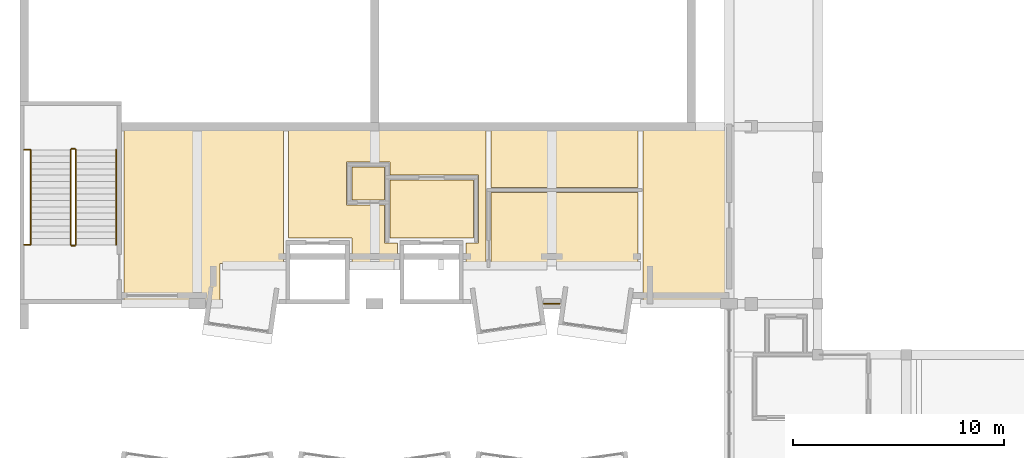
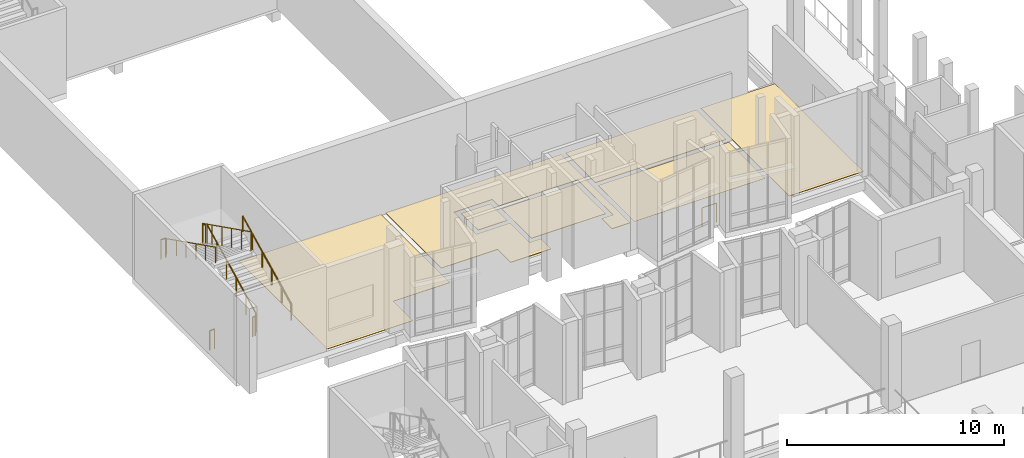
# One storey, part 89 of 100: 9 railings, 7 coverings.
"""IFC4 building model written with IfcOpenShell, lengths in metres."""

import ifcopenshell
import ifcopenshell.guid

model = None  # the IFC model being written
_history = None  # IfcOwnerHistory: only IFC2X3 demands one
_inside = {}  # id of a spatial element -> (the spatial element, [elements in it])
_under = {}  # id of a project, library or spatial element -> (it, [spatial elements below it])
_declared = {}  # id of a project -> (the project, [libraries it declares])
_typed = {}  # id of a type object -> (the type object, [elements of that type])
_made_of = {}  # id of a material, layer set ... -> (it, [elements and type objects made of it])


def new_model(schema):
    """Start an empty IFC model of exactly this schema.

    Asked for "IFC4X3", IfcOpenShell would pick the latest addendum, in which some entities
    have other attributes; the version numbers below select the first issue.
    IFC2X3 requires an IfcOwnerHistory on every rooted entity: one is made here for all.
    """
    global model, _history
    if schema == "IFC4X3":
        model = ifcopenshell.file(schema_version=(4, 3, 0, 0))
    else:
        model = ifcopenshell.file(schema=schema)
    _inside.clear()
    _under.clear()
    _declared.clear()
    _typed.clear()
    _made_of.clear()
    _history = None
    if model.schema == "IFC2X3":
        org = make("IfcOrganization", Name="unknown")
        user = make(
            "IfcPersonAndOrganization",
            ThePerson=make("IfcPerson", FamilyName="unknown"),
            TheOrganization=org,
        )
        app = make(
            "IfcApplication",
            ApplicationDeveloper=org,
            Version="unknown",
            ApplicationFullName="unknown",
            ApplicationIdentifier="unknown",
        )
        _history = make(
            "IfcOwnerHistory",
            OwningUser=user,
            OwningApplication=app,
            ChangeAction="ADDED",
            CreationDate=0,
        )
    return model


def make(cls, **values):
    """One entity of the class cls with the attributes given. An attribute that is None is left unset."""
    return model.create_entity(
        cls, **{name: value for name, value in values.items() if value is not None}
    )


def rooted(cls, **values):
    """An entity with a GlobalId (a new one), such as an element, a storey or a relation."""
    return make(cls, GlobalId=ifcopenshell.guid.new(), OwnerHistory=_history, **values)


def si_unit(unit_type, name, prefix=None):
    """IfcSIUnit, for example si_unit("LENGTHUNIT", "METRE", prefix="MILLI")."""
    return make("IfcSIUnit", UnitType=unit_type, Prefix=prefix, Name=name)


def assignment(units):
    """IfcUnitAssignment: the units of a project."""
    return None if units is None else make("IfcUnitAssignment", Units=units)


def point(xyz):
    """IfcCartesianPoint."""
    return None if xyz is None else make("IfcCartesianPoint", Coordinates=xyz)


def direction(xyz):
    """IfcDirection."""
    return None if xyz is None else make("IfcDirection", DirectionRatios=xyz)


def frame(location, z_axis=None, x_axis=None):
    """IfcAxis2Placement3D, a coordinate frame: its origin and axes. An axis left out is left unset."""
    return make(
        "IfcAxis2Placement3D",
        Location=point(location),
        Axis=direction(z_axis),
        RefDirection=direction(x_axis),
    )


def frame_2d(location, x_axis=None):
    """IfcAxis2Placement2D, a coordinate frame in the plane: its origin and x axis."""
    return make(
        "IfcAxis2Placement2D", Location=point(location), RefDirection=direction(x_axis)
    )


def origin():
    """The frame at (0, 0, 0) with its axes left unset."""
    return frame((0.0, 0.0, 0.0))


def origin_2d():
    """The frame at (0, 0) in the plane with its x axis left unset."""
    return frame_2d((0.0, 0.0))


def place(relative_to, where):
    """IfcLocalPlacement: puts the frame where relative to a parent placement (None: the world)."""
    return make(
        "IfcLocalPlacement", PlacementRelTo=relative_to, RelativePlacement=where
    )


def context(
    kind, dimensions, precision=None, world=None, true_north=None, identifier=None
):
    """IfcGeometricRepresentationContext, for example the 3D "Model" context."""
    return make(
        "IfcGeometricRepresentationContext",
        ContextIdentifier=identifier,
        ContextType=kind,
        CoordinateSpaceDimension=dimensions,
        Precision=precision,
        WorldCoordinateSystem=world,
        TrueNorth=true_north,
    )


def subcontext(parent, identifier, kind, view, scale=None):
    """IfcGeometricRepresentationSubContext, for example "Body" below "Model"."""
    return make(
        "IfcGeometricRepresentationSubContext",
        ContextIdentifier=identifier,
        ContextType=kind,
        ParentContext=parent,
        TargetScale=scale,
        TargetView=view,
    )


def project(units=None, contexts=None):
    """IfcProject with its units and contexts."""
    return rooted(
        "IfcProject",
        Name="project",
        RepresentationContexts=contexts,
        UnitsInContext=assignment(units),
    )


def spatial(cls, under=None, at=None, **own):
    """A site, building, storey or space (cls), placed at a placement, below another one or the project."""
    s = rooted(cls, ObjectPlacement=at, **own)
    if under is not None:
        _under.setdefault(under.id(), (under, []))[1].append(s)
    return s


def polyline(points):
    """IfcPolyline through the points."""
    return make("IfcPolyline", Points=[point(p) for p in points])


def profile(cls, at=None, kind="AREA", **sizes):
    """A parametric profile (cls). Its sizes go by their IFC names, for example OverallWidth=200.0."""
    return make(cls, ProfileType=kind, Position=at, **sizes)


def circle(**sizes):
    """IfcCircleProfileDef."""
    return profile("IfcCircleProfileDef", **sizes)


def outline(outer, holes=None, kind="AREA"):
    """IfcArbitraryClosedProfileDef: a profile drawn as a closed curve; with holes, ...WithVoids."""
    if holes is None:
        return make("IfcArbitraryClosedProfileDef", ProfileType=kind, OuterCurve=outer)
    return make(
        "IfcArbitraryProfileDefWithVoids",
        ProfileType=kind,
        OuterCurve=outer,
        InnerCurves=holes,
    )


def extrude(swept, where, along, depth):
    """IfcExtrudedAreaSolid: the profile swept, set in the frame where, extruded along a direction by depth."""
    return make(
        "IfcExtrudedAreaSolid",
        SweptArea=swept,
        Position=where,
        ExtrudedDirection=direction(along),
        Depth=depth,
    )


def shape(context_of_items, identifier, shape_type, items):
    """IfcShapeRepresentation: the items that make up one representation, for example the "Body"."""
    return make(
        "IfcShapeRepresentation",
        ContextOfItems=context_of_items,
        RepresentationIdentifier=identifier,
        RepresentationType=shape_type,
        Items=items,
    )


def material(Name=None, Category=None):
    """IfcMaterial."""
    return make("IfcMaterial", Name=Name, Category=Category)


def layer(
    of_material, thickness, ventilated=None, Name=None, Category=None, Priority=None
):
    """IfcMaterialLayer: one layer of a wall or slab, of a material (None: an air gap)."""
    return make(
        "IfcMaterialLayer",
        Material=of_material,
        LayerThickness=thickness,
        IsVentilated=ventilated,
        Name=Name,
        Category=Category,
        Priority=Priority,
    )


def layer_set(layers, Name=None):
    """IfcMaterialLayerSet."""
    return make("IfcMaterialLayerSet", MaterialLayers=layers, LayerSetName=Name)


def made_of(thing, what):
    """Note that an element or type object is made of a material, layer set ...; save() writes the relation."""
    if what is not None:
        _made_of.setdefault(what.id(), (what, []))[1].append(thing)
    return thing


def type_object(cls, material=None, **own):
    """A type object (cls), such as IfcWallType, which elements share."""
    return made_of(rooted(cls, **own), material)


def element(
    cls,
    number,
    at=None,
    inside=None,
    cuts=None,
    type_object=None,
    material=None,
    context=None,
    identifier="Body",
    shape_type=None,
    held_by="IfcProductDefinitionShape",
    body=None,
    shapes=None,
    **own,
):
    """One element of the class cls, such as IfcWall. Its Tag is "e" and its number.

    at: its placement. inside: the storey or other place that contains it. cuts: it is an
    opening in that element (IfcRelVoidsElement). A single representation is given by context,
    identifier, shape_type and body (its items); several are given by shapes. held_by: the class
    of the entity that holds the representations. save() writes the other relations.
    """
    e = rooted(cls, Tag="e%d" % number, ObjectPlacement=at, **own)
    if body is not None:
        shapes = [shape(context, identifier, shape_type, body)]
    if shapes is not None:
        e.Representation = make(held_by, Representations=shapes)
    if inside is not None:
        _inside.setdefault(inside.id(), (inside, []))[1].append(e)
    if cuts is not None:
        rooted(
            "IfcRelVoidsElement", RelatingBuildingElement=cuts, RelatedOpeningElement=e
        )
    if type_object is not None:
        _typed.setdefault(type_object.id(), (type_object, []))[1].append(e)
    return made_of(e, material)


def aggregate(whole, parts):
    """IfcRelAggregates: a whole, such as a stair, and the parts it consists of."""
    return rooted("IfcRelAggregates", RelatingObject=whole, RelatedObjects=parts)


def save(model, path):
    """Write the relations noted so far, then the file.

    IfcRelAggregates (storeys below a building ...), IfcRelContainedInSpatialStructure (elements
    in a storey), IfcRelDefinesByType, IfcRelAssociatesMaterial and IfcRelDeclares: one each for
    every whole, place, type object, material and project.
    """
    for whole, parts in _under.values():
        aggregate(whole, parts)
    for where, things in _inside.values():
        rooted(
            "IfcRelContainedInSpatialStructure",
            RelatedElements=things,
            RelatingStructure=where,
        )
    for kind, things in _typed.values():
        rooted("IfcRelDefinesByType", RelatedObjects=things, RelatingType=kind)
    for what, things in _made_of.values():
        rooted("IfcRelAssociatesMaterial", RelatedObjects=things, RelatingMaterial=what)
    for by, libraries in _declared.values():
        rooted("IfcRelDeclares", RelatingContext=by, RelatedDefinitions=libraries)
    model.write(path)


model = new_model("IFC4")

# Units and contexts
model_context = context("Model", 3, precision=1e-05, world=origin(), true_north=direction((0.0, 1.0)))
body_context = subcontext(model_context, "Body", "Model", "MODEL_VIEW")
ifc_project = project(units=[si_unit("LENGTHUNIT", "METRE"), si_unit("AREAUNIT", "SQUARE_METRE"), si_unit("VOLUMEUNIT", "CUBIC_METRE"), si_unit("PLANEANGLEUNIT", "RADIAN"), si_unit("MASSUNIT", "GRAM", prefix="KILO")], contexts=[model_context])

# Site, building, storey
site_placement = place(None, origin())
site = spatial("IfcSite", under=ifc_project, at=site_placement, CompositionType="ELEMENT")
building_placement = place(site_placement, origin())
building = spatial("IfcBuilding", under=site, at=building_placement, Name="Kiln Court Media Centre", CompositionType="ELEMENT")
storey_placement = place(building_placement, frame((0.0, 0.0, 15.0)))
storey = spatial("IfcBuildingStorey", under=building, at=storey_placement, Name="L03", CompositionType="ELEMENT", Elevation=15.0)

# Coverings
ifc_material_1 = material(Name="Ceramic tile")
ifc_layer_1 = layer(ifc_material_1, 0.011962890625)
ifc_layer_set_1 = layer_set([ifc_layer_1], Name="Ceramic tile floor finish 12")
covering_type_1 = type_object("IfcCoveringType", Name="Ceramic tile floor finish 12", PredefinedType="FLOORING", material=ifc_layer_set_1)
covering_1_placement = place(storey_placement, origin())
element("IfcCovering", 1, at=covering_1_placement, inside=storey, type_object=covering_type_1, Name="Toilets floor finish", PredefinedType="FLOORING", context=body_context, shape_type="SweptSolid", body=[
    extrude(outline(polyline([(29.280029296875, 38.8798828125), (22.320068359375, 38.8798828125), (22.320068359375, 35.52001953125), (29.280029296875, 35.52001953125), (29.280029296875, 38.8798828125)])), origin(), (0.0, 0.0, 1.0), 0.011962890625),
])
ifc_material_2 = material(Name="Engineered timber", Category="wood")
ifc_layer_2 = layer(ifc_material_2, 0.02001953125)
ifc_layer_set_2 = layer_set([ifc_layer_2], Name="Engineered timber floor finish 20")
covering_type_2 = type_object("IfcCoveringType", Name="Engineered timber floor finish 20", PredefinedType="FLOORING", material=ifc_layer_set_2)
covering_2_placement = place(storey_placement, origin())
element("IfcCovering", 2, at=covering_2_placement, inside=storey, type_object=covering_type_2, Name="Cinema Lounge floor finish", PredefinedType="FLOORING", context=body_context, shape_type="SweptSolid", body=[
    extrude(outline(polyline([(12.47998046875, 41.8798828125), (4.919921875, 41.8798828125), (4.919921875, 33.719970703125), (9.47998046875, 33.719970703125), (9.47998046875, 35.52001953125), (12.47998046875, 35.52001953125), (12.47998046875, 41.8798828125)])), origin(), (0.0, 0.0, 1.0), 0.02001953125),
])
ifc_material_3 = material(Name="Terrazzo")
ifc_layer_3 = layer(ifc_material_3, 0.02490234375)
ifc_layer_set_3 = layer_set([ifc_layer_3], Name="Polished terrazzo floor finish 25")
covering_type_3 = type_object("IfcCoveringType", Name="Polished terrazzo floor finish 25", PredefinedType="FLOORING", material=ifc_layer_set_3)
covering_3_placement = place(storey_placement, origin())
element("IfcCovering", 3, at=covering_3_placement, inside=storey, type_object=covering_type_3, Name="Foyer Link floor finish", PredefinedType="FLOORING", context=body_context, shape_type="SweptSolid", body=[
    extrude(outline(polyline([(29.52001953125, 33.719970703125), (33.47998046875, 33.719970703125), (33.47998046875, 41.8798828125), (29.52001953125, 41.8798828125), (29.52001953125, 33.719970703125)])), origin(), (0.0, 0.0, 1.0), 0.02490234375),
])
covering_4_placement = place(storey_placement, origin())
element("IfcCovering", 4, at=covering_4_placement, inside=storey, type_object=covering_type_3, Name="Mezzanine Lobby floor finish", PredefinedType="FLOORING", context=body_context, shape_type="SweptSolid", body=[
    extrude(outline(polyline([(17.280029296875, 36.47998046875), (17.280029296875, 38.280029296875), (15.47998046875, 38.280029296875), (15.47998046875, 40.320068359375), (17.52001953125, 40.320068359375), (17.52001953125, 39.719970703125), (21.719970703125, 39.719970703125), (21.719970703125, 36.47998046875), (21.1201171875, 36.47998046875), (21.1201171875, 35.52001953125), (22.080078125, 35.52001953125), (22.080078125, 41.8798828125), (12.719970703125, 41.8798828125), (12.719970703125, 36.719970703125), (15.719970703125, 36.719970703125), (15.719970703125, 35.52001953125), (17.8798828125, 35.52001953125), (17.8798828125, 36.47998046875), (17.280029296875, 36.47998046875)])), origin(), (0.0, 0.0, 1.0), 0.02490234375),
])
covering_5_placement = place(storey_placement, origin())
element("IfcCovering", 5, at=covering_5_placement, inside=storey, type_object=covering_type_3, Name="Fire-fighting Lift Lobby floor finish", PredefinedType="FLOORING", context=body_context, shape_type="SweptSolid", body=[
    extrude(outline(polyline([(17.52001953125, 36.719970703125), (21.47998046875, 36.719970703125), (21.47998046875, 39.47998046875), (17.52001953125, 39.47998046875), (17.52001953125, 36.719970703125)])), origin(), (0.0, 0.0, 1.0), 0.02490234375),
])
covering_6_placement = place(storey_placement, origin())
element("IfcCovering", 6, at=covering_6_placement, inside=storey, type_object=covering_type_3, Name="Wheelchair Refuge floor finish", PredefinedType="FLOORING", context=body_context, shape_type="SweptSolid", body=[
    extrude(outline(polyline([(15.719970703125, 38.52001953125), (17.280029296875, 38.52001953125), (17.280029296875, 40.080078125), (15.719970703125, 40.080078125), (15.719970703125, 38.52001953125)])), origin(), (0.0, 0.0, 1.0), 0.02490234375),
])
covering_7_placement = place(storey_placement, origin())
element("IfcCovering", 7, at=covering_7_placement, inside=storey, type_object=covering_type_3, Name="Cinema Lobby floor finish", PredefinedType="FLOORING", context=body_context, shape_type="SweptSolid", body=[
    extrude(outline(polyline([(22.320068359375, 39.1201171875), (29.280029296875, 39.1201171875), (29.280029296875, 41.8798828125), (22.320068359375, 41.8798828125), (22.320068359375, 39.1201171875)])), origin(), (0.0, 0.0, 1.0), 0.02490234375),
])

# Railings
ifc_material_4 = material(Name="Steel S275", Category="steel")
railing_type_1 = type_object("IfcRailingType", Name="Steel S275 balustrade guard 1100", PredefinedType="GUARDRAIL", material=ifc_material_4)
railing_1_placement = place(storey_placement, frame((25.582275390625, 33.599609375, 0.0)))
element("IfcRailing", 8, at=railing_1_placement, inside=storey, type_object=railing_type_1, Name="L03 slab notch guard", PredefinedType="GUARDRAIL", context=body_context, shape_type="SweptSolid", body=[
    extrude(circle(Radius=0.02392578125, at=origin_2d()), frame((0.0, 0.0, 1.076171875), z_axis=(-1.0, 0.0, 0.0), x_axis=(0.0, -1.0, 0.0)), (0.0, 0.0, 1.0), 0.764404296875),
    extrude(circle(Radius=0.02099609375, at=origin_2d()), origin(), (0.0, 0.0, 1.0), 1.052001953125),
    extrude(circle(Radius=0.02099609375, at=origin_2d()), frame((-0.764404296875, 0.0, 0.0)), (0.0, 0.0, 1.0), 1.052001953125),
])
ifc_material_5 = material(Name="Steel S275", Category="steel")
railing_type_2 = type_object("IfcRailingType", Name="Steel S275 stair guard 1100", PredefinedType="GUARDRAIL", material=ifc_material_5)
railing_2_placement = place(storey_placement, frame((2.64990234375, 36.39990234375, 0.14990234375)))
element("IfcRailing", 9, at=railing_2_placement, inside=storey, type_object=railing_type_2, Name="ST-06 stair guard", PredefinedType="GUARDRAIL", context=body_context, shape_type="SweptSolid", body=[
    extrude(circle(Radius=0.02392578125, at=origin_2d()), frame((0.0, 0.0, 1.076171875), z_axis=(0.0, 0.894427191, 0.4472135955), x_axis=(-1.0, 0.0, 0.0)), (0.0, 0.0, 1.0), 5.03125),
    extrude(circle(Radius=0.02099609375, at=origin_2d()), origin(), (0.0, 0.0, 1.0), 1.052001953125),
    extrude(circle(Radius=0.02099609375, at=origin_2d()), frame((0.0, 0.89990234375, 0.449951171875)), (0.0, 0.0, 1.0), 1.052001953125),
    extrude(circle(Radius=0.02099609375, at=origin_2d()), frame((0.0, 1.800048828125, 0.89990234375)), (0.0, 0.0, 1.0), 1.052001953125),
    extrude(circle(Radius=0.02099609375, at=origin_2d()), frame((0.0, 2.699951171875, 1.35009765625)), (0.0, 0.0, 1.0), 1.052001953125),
    extrude(circle(Radius=0.02099609375, at=origin_2d()), frame((0.0, 3.60009765625, 1.800048828125)), (0.0, 0.0, 1.0), 1.052001953125),
    extrude(circle(Radius=0.02099609375, at=origin_2d()), frame((0.0, 4.5, 2.25)), (0.0, 0.0, 1.0), 1.052001953125),
])
railing_3_placement = place(storey_placement, frame((2.60009765625, 40.949951171875, 2.39990234375)))
element("IfcRailing", 10, at=railing_3_placement, inside=storey, type_object=railing_type_2, Name="ST-06 stair guard", PredefinedType="GUARDRAIL", context=body_context, shape_type="SweptSolid", body=[
    extrude(circle(Radius=0.02392578125, at=origin_2d()), frame((0.0, 0.0, 1.076171875), z_axis=(-1.0, 0.0, 0.0), x_axis=(0.0, -1.0, 0.0)), (0.0, 0.0, 1.0), 0.150146484375),
    extrude(circle(Radius=0.02099609375, at=origin_2d()), origin(), (0.0, 0.0, 1.0), 1.052001953125),
    extrude(circle(Radius=0.02099609375, at=origin_2d()), frame((-0.150146484375, 0.0, 0.0)), (0.0, 0.0, 1.0), 1.052001953125),
])
railing_4_placement = place(storey_placement, frame((2.39990234375, 40.89990234375, 2.550048828125)))
element("IfcRailing", 11, at=railing_4_placement, inside=storey, type_object=railing_type_2, Name="ST-06 stair guard", PredefinedType="GUARDRAIL", context=body_context, shape_type="SweptSolid", body=[
    extrude(circle(Radius=0.02392578125, at=origin_2d()), frame((0.0, 0.0, 1.076171875), z_axis=(0.0, -0.894427191, 0.4472135955), x_axis=(1.0, 0.0, 0.0)), (0.0, 0.0, 1.0), 5.03125),
    extrude(circle(Radius=0.02099609375, at=origin_2d()), origin(), (0.0, 0.0, 1.0), 1.052001953125),
    extrude(circle(Radius=0.02099609375, at=origin_2d()), frame((0.0, -0.89990234375, 0.449951171875)), (0.0, 0.0, 1.0), 1.052001953125),
    extrude(circle(Radius=0.02099609375, at=origin_2d()), frame((0.0, -1.800048828125, 0.89990234375)), (0.0, 0.0, 1.0), 1.052001953125),
    extrude(circle(Radius=0.02099609375, at=origin_2d()), frame((0.0, -2.699951171875, 1.35009765625)), (0.0, 0.0, 1.0), 1.052001953125),
    extrude(circle(Radius=0.02099609375, at=origin_2d()), frame((0.0, -3.60009765625, 1.800048828125)), (0.0, 0.0, 1.0), 1.052001953125),
    extrude(circle(Radius=0.02099609375, at=origin_2d()), frame((0.0, -4.5, 2.25)), (0.0, 0.0, 1.0), 1.052001953125),
])
railing_5_placement = place(storey_placement, frame((2.60009765625, 36.35009765625, 0.0)))
element("IfcRailing", 12, at=railing_5_placement, inside=storey, type_object=railing_type_2, Name="ST-06 stair guard", PredefinedType="GUARDRAIL", context=body_context, shape_type="SweptSolid", body=[
    extrude(circle(Radius=0.02392578125, at=origin_2d()), frame((0.0, 0.0, 1.076171875), z_axis=(-1.0, 0.0, 0.0), x_axis=(0.0, -1.0, 0.0)), (0.0, 0.0, 1.0), 0.150146484375),
    extrude(circle(Radius=0.02099609375, at=origin_2d()), origin(), (0.0, 0.0, 1.0), 1.052001953125),
    extrude(circle(Radius=0.02099609375, at=origin_2d()), frame((-0.150146484375, 0.0, 0.0)), (0.0, 0.0, 1.0), 1.052001953125),
])
for number, where, name in (
    (13, (0.449951171875, 40.89990234375, 2.39990234375), "ST-06 landing edge guard"),
    (14, (0.449951171875, 36.39990234375, 0.0), "ST-06 landing edge guard"),
):
    element("IfcRailing", number, at=place(storey_placement, frame(where)), inside=storey, type_object=railing_type_2, Name=name, PredefinedType="GUARDRAIL", context=body_context, shape_type="SweptSolid", body=[
        extrude(circle(Radius=0.02392578125, at=origin_2d()), frame((0.0, 0.0, 1.076171875), z_axis=(-1.0, 0.0, 0.0), x_axis=(0.0, -1.0, 0.0)), (0.0, 0.0, 1.0), 0.25),
        extrude(circle(Radius=0.02099609375, at=origin_2d()), origin(), (0.0, 0.0, 1.0), 1.052001953125),
        extrude(circle(Radius=0.02099609375, at=origin_2d()), frame((-0.25, 0.0, 0.0)), (0.0, 0.0, 1.0), 1.052001953125),
    ])
ifc_material_6 = material(Name="Steel S275", Category="steel")
railing_type_3 = type_object("IfcRailingType", Name="Steel S275 stair handrail 900", PredefinedType="HANDRAIL", material=ifc_material_6)
railing_6_placement = place(storey_placement, frame((4.550048828125, 36.39990234375, 0.14990234375)))
element("IfcRailing", 15, at=railing_6_placement, inside=storey, type_object=railing_type_3, Name="ST-06 stair handrail", PredefinedType="HANDRAIL", context=body_context, shape_type="SweptSolid", body=[
    extrude(circle(Radius=0.02392578125, at=origin_2d()), frame((0.0, 0.0, 0.8759765625), z_axis=(0.0, 0.894427191, 0.4472135955), x_axis=(-1.0, 0.0, 0.0)), (0.0, 0.0, 1.0), 5.03125),
    extrude(circle(Radius=0.02099609375, at=origin_2d()), origin(), (0.0, 0.0, 1.0), 0.851806640625),
    extrude(circle(Radius=0.02099609375, at=origin_2d()), frame((0.0, 0.89990234375, 0.449951171875)), (0.0, 0.0, 1.0), 0.851806640625),
    extrude(circle(Radius=0.02099609375, at=origin_2d()), frame((0.0, 1.800048828125, 0.89990234375)), (0.0, 0.0, 1.0), 0.851806640625),
    extrude(circle(Radius=0.02099609375, at=origin_2d()), frame((0.0, 2.699951171875, 1.35009765625)), (0.0, 0.0, 1.0), 0.851806640625),
    extrude(circle(Radius=0.02099609375, at=origin_2d()), frame((0.0, 3.60009765625, 1.800048828125)), (0.0, 0.0, 1.0), 0.851806640625),
    extrude(circle(Radius=0.02099609375, at=origin_2d()), frame((0.0, 4.5, 2.25)), (0.0, 0.0, 1.0), 0.851806640625),
])
railing_7_placement = place(storey_placement, frame((0.5, 40.89990234375, 2.550048828125)))
element("IfcRailing", 16, at=railing_7_placement, inside=storey, type_object=railing_type_3, Name="ST-06 stair handrail", PredefinedType="HANDRAIL", context=body_context, shape_type="SweptSolid", body=[
    extrude(circle(Radius=0.02392578125, at=origin_2d()), frame((0.0, 0.0, 0.8759765625), z_axis=(0.0, -0.894427191, 0.4472135955), x_axis=(1.0, 0.0, 0.0)), (0.0, 0.0, 1.0), 5.03125),
    extrude(circle(Radius=0.02099609375, at=origin_2d()), origin(), (0.0, 0.0, 1.0), 0.851806640625),
    extrude(circle(Radius=0.02099609375, at=origin_2d()), frame((0.0, -0.89990234375, 0.449951171875)), (0.0, 0.0, 1.0), 0.851806640625),
    extrude(circle(Radius=0.02099609375, at=origin_2d()), frame((0.0, -1.800048828125, 0.89990234375)), (0.0, 0.0, 1.0), 0.851806640625),
    extrude(circle(Radius=0.02099609375, at=origin_2d()), frame((0.0, -2.699951171875, 1.35009765625)), (0.0, 0.0, 1.0), 0.851806640625),
    extrude(circle(Radius=0.02099609375, at=origin_2d()), frame((0.0, -3.60009765625, 1.800048828125)), (0.0, 0.0, 1.0), 0.851806640625),
    extrude(circle(Radius=0.02099609375, at=origin_2d()), frame((0.0, -4.5, 2.25)), (0.0, 0.0, 1.0), 0.851806640625),
])

save(model, "model.ifc")
